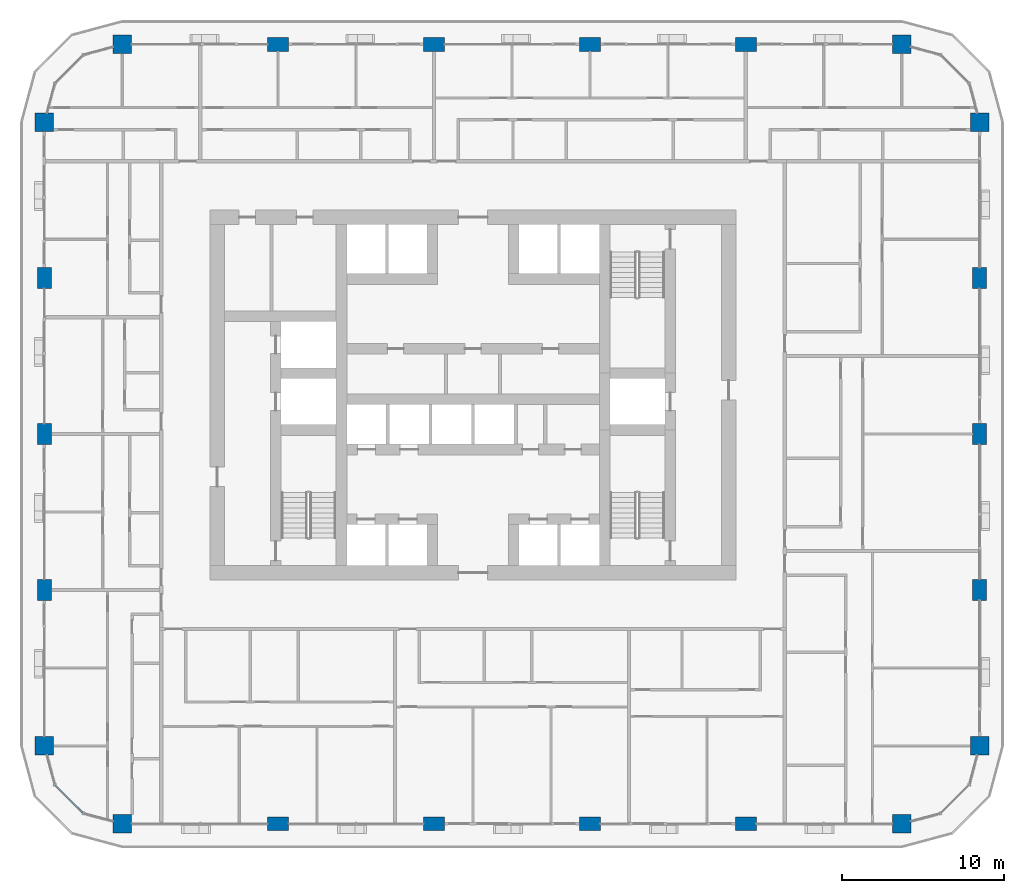
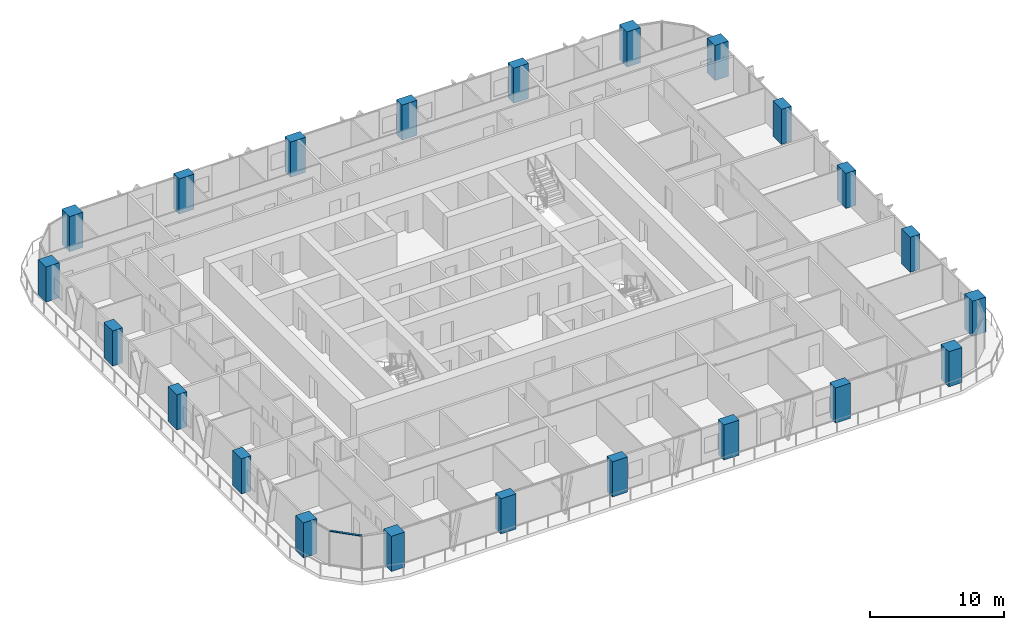
# One storey, part 1 of 22: 22 columns, 1 member, 1 element without a shape of its own.
"""IFC4 building model written with IfcOpenShell, lengths in metres."""

import ifcopenshell
import ifcopenshell.guid

model = None  # the IFC model being written
_history = None  # IfcOwnerHistory: only IFC2X3 demands one
_inside = {}  # id of a spatial element -> (the spatial element, [elements in it])
_under = {}  # id of a project, library or spatial element -> (it, [spatial elements below it])
_declared = {}  # id of a project -> (the project, [libraries it declares])
_typed = {}  # id of a type object -> (the type object, [elements of that type])
_made_of = {}  # id of a material, layer set ... -> (it, [elements and type objects made of it])


def new_model(schema):
    """Start an empty IFC model of exactly this schema.

    Asked for "IFC4X3", IfcOpenShell would pick the latest addendum, in which some entities
    have other attributes; the version numbers below select the first issue.
    IFC2X3 requires an IfcOwnerHistory on every rooted entity: one is made here for all.
    """
    global model, _history
    if schema == "IFC4X3":
        model = ifcopenshell.file(schema_version=(4, 3, 0, 0))
    else:
        model = ifcopenshell.file(schema=schema)
    _inside.clear()
    _under.clear()
    _declared.clear()
    _typed.clear()
    _made_of.clear()
    _history = None
    if model.schema == "IFC2X3":
        org = make("IfcOrganization", Name="unknown")
        user = make(
            "IfcPersonAndOrganization",
            ThePerson=make("IfcPerson", FamilyName="unknown"),
            TheOrganization=org,
        )
        app = make(
            "IfcApplication",
            ApplicationDeveloper=org,
            Version="unknown",
            ApplicationFullName="unknown",
            ApplicationIdentifier="unknown",
        )
        _history = make(
            "IfcOwnerHistory",
            OwningUser=user,
            OwningApplication=app,
            ChangeAction="ADDED",
            CreationDate=0,
        )
    return model


def make(cls, **values):
    """One entity of the class cls with the attributes given. An attribute that is None is left unset."""
    return model.create_entity(
        cls, **{name: value for name, value in values.items() if value is not None}
    )


def rooted(cls, **values):
    """An entity with a GlobalId (a new one), such as an element, a storey or a relation."""
    return make(cls, GlobalId=ifcopenshell.guid.new(), OwnerHistory=_history, **values)


def si_unit(unit_type, name, prefix=None):
    """IfcSIUnit, for example si_unit("LENGTHUNIT", "METRE", prefix="MILLI")."""
    return make("IfcSIUnit", UnitType=unit_type, Prefix=prefix, Name=name)


def assignment(units):
    """IfcUnitAssignment: the units of a project."""
    return None if units is None else make("IfcUnitAssignment", Units=units)


def point(xyz):
    """IfcCartesianPoint."""
    return None if xyz is None else make("IfcCartesianPoint", Coordinates=xyz)


def direction(xyz):
    """IfcDirection."""
    return None if xyz is None else make("IfcDirection", DirectionRatios=xyz)


def frame(location, z_axis=None, x_axis=None):
    """IfcAxis2Placement3D, a coordinate frame: its origin and axes. An axis left out is left unset."""
    return make(
        "IfcAxis2Placement3D",
        Location=point(location),
        Axis=direction(z_axis),
        RefDirection=direction(x_axis),
    )


def frame_2d(location, x_axis=None):
    """IfcAxis2Placement2D, a coordinate frame in the plane: its origin and x axis."""
    return make(
        "IfcAxis2Placement2D", Location=point(location), RefDirection=direction(x_axis)
    )


def origin():
    """The frame at (0, 0, 0) with its axes left unset."""
    return frame((0.0, 0.0, 0.0))


def origin_2d():
    """The frame at (0, 0) in the plane with its x axis left unset."""
    return frame_2d((0.0, 0.0))


def place(relative_to, where):
    """IfcLocalPlacement: puts the frame where relative to a parent placement (None: the world)."""
    return make(
        "IfcLocalPlacement", PlacementRelTo=relative_to, RelativePlacement=where
    )


def context(
    kind, dimensions, precision=None, world=None, true_north=None, identifier=None
):
    """IfcGeometricRepresentationContext, for example the 3D "Model" context."""
    return make(
        "IfcGeometricRepresentationContext",
        ContextIdentifier=identifier,
        ContextType=kind,
        CoordinateSpaceDimension=dimensions,
        Precision=precision,
        WorldCoordinateSystem=world,
        TrueNorth=true_north,
    )


def subcontext(parent, identifier, kind, view, scale=None):
    """IfcGeometricRepresentationSubContext, for example "Body" below "Model"."""
    return make(
        "IfcGeometricRepresentationSubContext",
        ContextIdentifier=identifier,
        ContextType=kind,
        ParentContext=parent,
        TargetScale=scale,
        TargetView=view,
    )


def project(units=None, contexts=None):
    """IfcProject with its units and contexts."""
    return rooted(
        "IfcProject",
        Name="project",
        RepresentationContexts=contexts,
        UnitsInContext=assignment(units),
    )


def spatial(cls, under=None, at=None, **own):
    """A site, building, storey or space (cls), placed at a placement, below another one or the project."""
    s = rooted(cls, ObjectPlacement=at, **own)
    if under is not None:
        _under.setdefault(under.id(), (under, []))[1].append(s)
    return s


def profile(cls, at=None, kind="AREA", **sizes):
    """A parametric profile (cls). Its sizes go by their IFC names, for example OverallWidth=200.0."""
    return make(cls, ProfileType=kind, Position=at, **sizes)


def rectangle(**sizes):
    """IfcRectangleProfileDef."""
    return profile("IfcRectangleProfileDef", **sizes)


def extrude(swept, where, along, depth):
    """IfcExtrudedAreaSolid: the profile swept, set in the frame where, extruded along a direction by depth."""
    return make(
        "IfcExtrudedAreaSolid",
        SweptArea=swept,
        Position=where,
        ExtrudedDirection=direction(along),
        Depth=depth,
    )


def shape(context_of_items, identifier, shape_type, items):
    """IfcShapeRepresentation: the items that make up one representation, for example the "Body"."""
    return make(
        "IfcShapeRepresentation",
        ContextOfItems=context_of_items,
        RepresentationIdentifier=identifier,
        RepresentationType=shape_type,
        Items=items,
    )


def material(Name=None, Category=None):
    """IfcMaterial."""
    return make("IfcMaterial", Name=Name, Category=Category)


def layer(
    of_material, thickness, ventilated=None, Name=None, Category=None, Priority=None
):
    """IfcMaterialLayer: one layer of a wall or slab, of a material (None: an air gap)."""
    return make(
        "IfcMaterialLayer",
        Material=of_material,
        LayerThickness=thickness,
        IsVentilated=ventilated,
        Name=Name,
        Category=Category,
        Priority=Priority,
    )


def layer_set(layers, Name=None):
    """IfcMaterialLayerSet."""
    return make("IfcMaterialLayerSet", MaterialLayers=layers, LayerSetName=Name)


def material_profile(
    of_material, cross_section, Name=None, Category=None, Priority=None
):
    """IfcMaterialProfile: a cross section and its material."""
    return make(
        "IfcMaterialProfile",
        Name=Name,
        Material=of_material,
        Profile=cross_section,
        Priority=Priority,
        Category=Category,
    )


def profile_set(profiles, Name=None, composite=None):
    """IfcMaterialProfileSet."""
    return make(
        "IfcMaterialProfileSet",
        Name=Name,
        MaterialProfiles=profiles,
        CompositeProfile=composite,
    )


def made_of(thing, what):
    """Note that an element or type object is made of a material, layer set ...; save() writes the relation."""
    if what is not None:
        _made_of.setdefault(what.id(), (what, []))[1].append(thing)
    return thing


def type_object(cls, material=None, **own):
    """A type object (cls), such as IfcWallType, which elements share."""
    return made_of(rooted(cls, **own), material)


def element(
    cls,
    number,
    at=None,
    inside=None,
    cuts=None,
    type_object=None,
    material=None,
    context=None,
    identifier="Body",
    shape_type=None,
    held_by="IfcProductDefinitionShape",
    body=None,
    shapes=None,
    **own,
):
    """One element of the class cls, such as IfcWall. Its Tag is "e" and its number.

    at: its placement. inside: the storey or other place that contains it. cuts: it is an
    opening in that element (IfcRelVoidsElement). A single representation is given by context,
    identifier, shape_type and body (its items); several are given by shapes. held_by: the class
    of the entity that holds the representations. save() writes the other relations.
    """
    e = rooted(cls, Tag="e%d" % number, ObjectPlacement=at, **own)
    if body is not None:
        shapes = [shape(context, identifier, shape_type, body)]
    if shapes is not None:
        e.Representation = make(held_by, Representations=shapes)
    if inside is not None:
        _inside.setdefault(inside.id(), (inside, []))[1].append(e)
    if cuts is not None:
        rooted(
            "IfcRelVoidsElement", RelatingBuildingElement=cuts, RelatedOpeningElement=e
        )
    if type_object is not None:
        _typed.setdefault(type_object.id(), (type_object, []))[1].append(e)
    return made_of(e, material)


def aggregate(whole, parts):
    """IfcRelAggregates: a whole, such as a stair, and the parts it consists of."""
    return rooted("IfcRelAggregates", RelatingObject=whole, RelatedObjects=parts)


def save(model, path):
    """Write the relations noted so far, then the file.

    IfcRelAggregates (storeys below a building ...), IfcRelContainedInSpatialStructure (elements
    in a storey), IfcRelDefinesByType, IfcRelAssociatesMaterial and IfcRelDeclares: one each for
    every whole, place, type object, material and project.
    """
    for whole, parts in _under.values():
        aggregate(whole, parts)
    for where, things in _inside.values():
        rooted(
            "IfcRelContainedInSpatialStructure",
            RelatedElements=things,
            RelatingStructure=where,
        )
    for kind, things in _typed.values():
        rooted("IfcRelDefinesByType", RelatedObjects=things, RelatingType=kind)
    for what, things in _made_of.values():
        rooted("IfcRelAssociatesMaterial", RelatedObjects=things, RelatingMaterial=what)
    for by, libraries in _declared.values():
        rooted("IfcRelDeclares", RelatingContext=by, RelatedDefinitions=libraries)
    model.write(path)


model = new_model("IFC4")

# Units and contexts
model_context = context("Model", 3, precision=1e-05, world=origin(), true_north=direction((0.0, 1.0)))
body_context = subcontext(model_context, "Body", "Model", "MODEL_VIEW")
ifc_project = project(units=[si_unit("LENGTHUNIT", "METRE"), si_unit("AREAUNIT", "SQUARE_METRE"), si_unit("VOLUMEUNIT", "CUBIC_METRE"), si_unit("PLANEANGLEUNIT", "RADIAN"), si_unit("MASSUNIT", "GRAM", prefix="KILO")], contexts=[model_context])

# Site, building, storey
site_placement = place(None, origin())
site = spatial("IfcSite", under=ifc_project, at=site_placement, CompositionType="ELEMENT")
building_placement = place(site_placement, origin())
building = spatial("IfcBuilding", under=site, at=building_placement, Name="Madar Terraces", CompositionType="ELEMENT")
storey_placement = place(building_placement, frame((0.0, 0.0, 66.300048828125)))
storey = spatial("IfcBuildingStorey", under=building, at=storey_placement, Name="L16", CompositionType="ELEMENT", Elevation=66.300048828125)

# Columns
ifc_material_1 = material(Name="Concrete C80/95", Category="concrete")
ifc_material_profile_1 = material_profile(ifc_material_1, rectangle(XDim=1.300048828125, YDim=0.85009765625, at=origin_2d()), Name="CC2 RC 1300x850")
ifc_profile_set_1 = profile_set([ifc_material_profile_1], Name="Concrete C80/95")
column_type_1 = type_object("IfcColumnType", Name="CC2 RC 1300x850", PredefinedType="COLUMN", material=ifc_profile_set_1)
for number, where, z_axis, x_axis, name in (
    (1, (19.199951171875, 0.0, 0.0), (0.0, 0.0, 1.0), (1.0, 0.0, 0.0), "Perimeter column S2"),
    (2, (28.800048828125, 0.0, 0.0), (0.0, 0.0, 1.0), (1.0, 0.0, 0.0), "Perimeter column S3"),
    (3, (38.39990234375, 0.0, 0.0), (0.0, 0.0, 1.0), (1.0, 0.0, 0.0), "Perimeter column S4"),
    (4, (48.0, 0.0, 0.0), (0.0, 0.0, 1.0), (1.0, 0.0, 0.0), "Perimeter column S5"),
    (5, (62.39990234375, 14.39990234375, 0.0), (0.0, 0.0, 1.0), (0.0, 1.0, 0.0), "Perimeter column E2"),
    (6, (62.39990234375, 24.0, 0.0), (0.0, 0.0, 1.0), (0.0, 1.0, 0.0), "Perimeter column E3"),
    (7, (62.39990234375, 33.60009765625, 0.0), (0.0, 0.0, 1.0), (0.0, 1.0, 0.0), "Perimeter column E4"),
    (8, (48.0, 48.0, 0.0), (0.0, 0.0, 1.0), (1.0, 0.0, 0.0), "Perimeter column N2"),
    (9, (38.39990234375, 48.0, 0.0), (0.0, 0.0, 1.0), (1.0, 0.0, 0.0), "Perimeter column N3"),
    (10, (28.800048828125, 48.0, 0.0), (0.0, 0.0, 1.0), (1.0, 0.0, 0.0), "Perimeter column N4"),
    (11, (19.199951171875, 48.0, 0.0), (0.0, 0.0, 1.0), (1.0, 0.0, 0.0), "Perimeter column N5"),
    (12, (4.800048828125, 33.60009765625, 0.0), (0.0, 0.0, 1.0), (0.0, 1.0, 0.0), "Perimeter column W2"),
    (13, (4.800048828125, 24.0, 0.0), (0.0, 0.0, 1.0), (0.0, 1.0, 0.0), "Perimeter column W3"),
    (14, (4.800048828125, 14.39990234375, 0.0), (0.0, 0.0, 1.0), (0.0, 1.0, 0.0), "Perimeter column W4"),
):
    element("IfcColumn", number, at=place(storey_placement, frame(where, z_axis=z_axis, x_axis=x_axis)), inside=storey, type_object=column_type_1, Name=name, PredefinedType="COLUMN", context=body_context, shape_type="SweptSolid", body=[
        extrude(rectangle(XDim=1.300048828125, YDim=0.85009765625, at=origin_2d()), origin(), (0.0, 0.0, 1.0), 3.199951171875),
    ])
ifc_material_2 = material(Name="Concrete C80/95", Category="concrete")
ifc_material_profile_2 = material_profile(ifc_material_2, rectangle(XDim=1.14990234375, YDim=1.14990234375, at=origin_2d()), Name="KC2 RC 1150x1150")
ifc_profile_set_2 = profile_set([ifc_material_profile_2], Name="Concrete C80/95")
column_type_2 = type_object("IfcColumnType", Name="KC2 RC 1150x1150", PredefinedType="COLUMN", material=ifc_profile_set_2)
for number, where, z_axis, x_axis, name in (
    (15, (9.60009765625, 0.0, 0.0), (0.0, 0.0, 1.0), (1.0, 0.0, 0.0), "Perimeter column S1"),
    (16, (57.60009765625, 0.0, 0.0), (0.0, 0.0, 1.0), (1.0, 0.0, 0.0), "Perimeter column S6"),
    (17, (62.39990234375, 4.800048828125, 0.0), (0.0, 0.0, 1.0), (1.0, 0.0, 0.0), "Perimeter column E1"),
    (18, (62.39990234375, 43.199951171875, 0.0), (0.0, 0.0, 1.0), (1.0, 0.0, 0.0), "Perimeter column E5"),
    (19, (57.60009765625, 48.0, 0.0), (0.0, 0.0, 1.0), (1.0, 0.0, 0.0), "Perimeter column N1"),
    (20, (9.60009765625, 48.0, 0.0), (0.0, 0.0, 1.0), (1.0, 0.0, 0.0), "Perimeter column N6"),
    (21, (4.800048828125, 43.199951171875, 0.0), (0.0, 0.0, 1.0), (1.0, 0.0, 0.0), "Perimeter column W1"),
    (22, (4.800048828125, 4.800048828125, 0.0), (0.0, 0.0, 1.0), (1.0, 0.0, 0.0), "Perimeter column W5"),
):
    element("IfcColumn", number, at=place(storey_placement, frame(where, z_axis=z_axis, x_axis=x_axis)), inside=storey, type_object=column_type_2, Name=name, PredefinedType="COLUMN", context=body_context, shape_type="SweptSolid", body=[
        extrude(rectangle(XDim=1.14990234375, YDim=1.14990234375, at=origin_2d()), origin(), (0.0, 0.0, 1.0), 3.199951171875),
    ])

# Curtain wall, member
ifc_material_3 = material(Name="Glass, ceramic frit dark grey, with black aluminium frame", Category="aluminium")
ifc_layer = layer(ifc_material_3, 0.199951171875)
ifc_layer_set = layer_set([ifc_layer], Name="Facade curtain wall, fritted glass")
curtain_wall_type = type_object("IfcCurtainWallType", Name="Facade curtain wall, fritted glass", PredefinedType="NOTDEFINED", material=ifc_layer_set)
curtain_wall_placement = place(storey_placement, origin())
curtain_wall = element("IfcCurtainWall", 23, at=curtain_wall_placement, inside=storey, type_object=curtain_wall_type, Name="Outer skin curtain wall south-west corner", PredefinedType="NOTDEFINED")
ifc_material_4 = material(Name="Aluminium, black anodised", Category="aluminium")
ifc_material_profile_3 = material_profile(ifc_material_4, rectangle(XDim=0.1201171875, YDim=0.06005859375, at=origin_2d()), Name="Facade transom 60x120")
ifc_profile_set_3 = profile_set([ifc_material_profile_3], Name="Aluminium, black anodised")
member_type = type_object("IfcMemberType", Name="Facade transom 60x120", PredefinedType="USERDEFINED", material=ifc_profile_set_3)
member_placement = place(storey_placement, frame((5.46435546875, 2.37890625, 3.169921875), z_axis=(0.707056433593, -0.707157125196, 0.0), x_axis=(0.707157125196, 0.707056433593, 0.0)))
member = element("IfcMember", 24, at=member_placement, type_object=member_type, Name="Transom 2", ObjectType="TRANSOM", PredefinedType="USERDEFINED", context=body_context, shape_type="SweptSolid", body=[
    extrude(rectangle(XDim=0.1201171875, YDim=0.06005859375, at=origin_2d()), origin(), (0.0, 0.0, 1.0), 2.424560546875),
])
aggregate(curtain_wall, [member])

save(model, "model.ifc")
